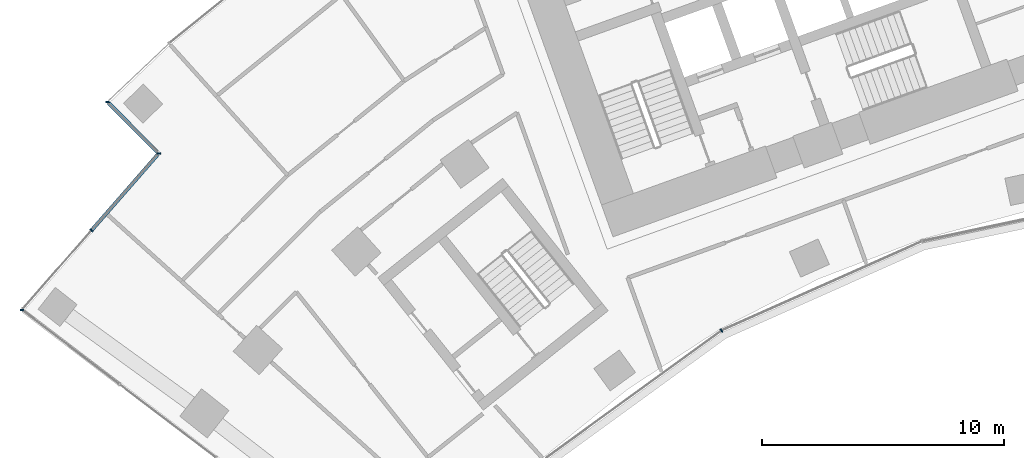
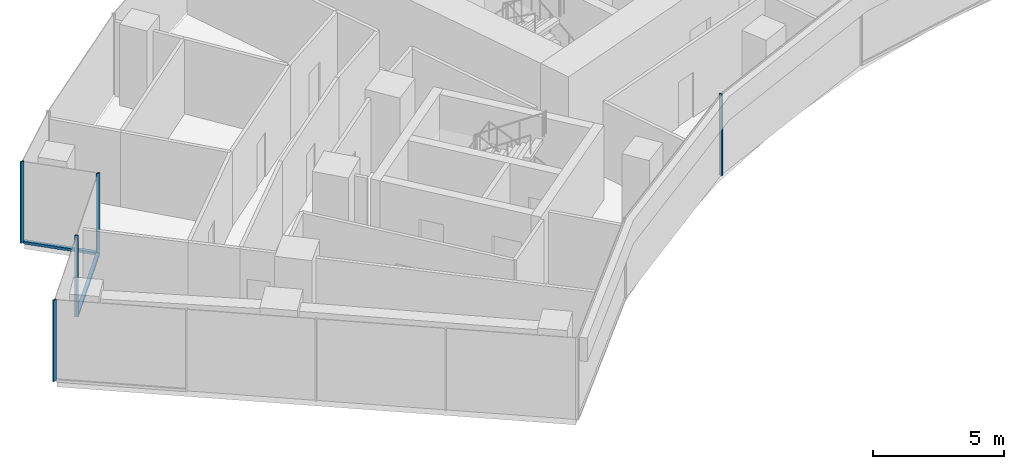
# One storey, part 3 of 21: 7 members, 4 elements without a shape of their own.
"""IFC4 building model written with IfcOpenShell, lengths in metres."""

from ifc_helpers import new_model, si_unit, direction, frame, origin, origin_2d, place, context, subcontext, project, spatial, rectangle, extrude, material, layer, layer_set, material_profile, profile_set, type_object, element, aggregate, save


model = new_model("IFC4")

# Units and contexts
model_context = context("Model", 3, precision=1e-05, world=origin(), true_north=direction((0.0, 1.0)))
body_context = subcontext(model_context, "Body", "Model", "MODEL_VIEW")
ifc_project = project(units=[si_unit("LENGTHUNIT", "METRE"), si_unit("AREAUNIT", "SQUARE_METRE"), si_unit("VOLUMEUNIT", "CUBIC_METRE"), si_unit("PLANEANGLEUNIT", "RADIAN"), si_unit("MASSUNIT", "GRAM", prefix="KILO")], contexts=[model_context])

# Site, building, storey
site_placement = place(None, origin())
site = spatial("IfcSite", under=ifc_project, at=site_placement, CompositionType="ELEMENT")
building_placement = place(site_placement, origin())
building = spatial("IfcBuilding", under=site, at=building_placement, Name="Stone Belt Terrace Tower", CompositionType="ELEMENT")
storey_placement = place(building_placement, frame((0.0, 0.0, 90.800048828125)))
storey = spatial("IfcBuildingStorey", under=building, at=storey_placement, Name="L21", CompositionType="ELEMENT", Elevation=90.800048828125)

# Curtain wall, member
ifc_material = material(Name="Aluminium 6063-T6 anodised frame", Category="aluminium")
ifc_layer_1 = layer(ifc_material, 0.14990234375)
ifc_layer_set_1 = layer_set([ifc_layer_1], Name="CW-B unitised concave-face curtain wall")
curtain_wall_type_1 = type_object("IfcCurtainWallType", Name="CW-B unitised concave-face curtain wall", PredefinedType="NOTDEFINED", material=ifc_layer_set_1)
curtain_wall_1_placement = place(storey_placement, origin())
curtain_wall_1 = element("IfcCurtainWall", 1, at=curtain_wall_1_placement, inside=storey, type_object=curtain_wall_type_1, Name="CW-B concave face L21", PredefinedType="NOTDEFINED")
ifc_material_profile_1 = material_profile(ifc_material, rectangle(XDim=0.14990234375, YDim=0.050048828125, at=origin_2d()), Name="Aluminium 6063-T6 50x150")
ifc_profile_set_1 = profile_set([ifc_material_profile_1], Name="Aluminium 6063-T6 anodised frame")
member_type_1 = type_object("IfcMemberType", Name="CW-B mullion 50 x 150", PredefinedType="MULLION", material=ifc_profile_set_1)
member_1_placement = place(storey_placement, frame((-21.71240234375, 37.606689453125, 0.0), z_axis=(0.0, 0.0, 1.0), x_axis=(-0.5, 0.866025403784, 0.0)))
member_1 = element("IfcMember", 2, at=member_1_placement, type_object=member_type_1, Name="CW-B mullion 3", PredefinedType="MULLION", context=body_context, shape_type="SweptSolid", body=[
    extrude(rectangle(XDim=0.14990234375, YDim=0.050048828125, at=origin_2d()), origin(), (0.0, 0.0, 1.0), 3.800048828125),
])
aggregate(curtain_wall_1, [member_1])

ifc_layer_2 = layer(ifc_material, 0.14990234375)
ifc_layer_set_2 = layer_set([ifc_layer_2], Name="CW-C stick curtain wall, horn ends and notches")
curtain_wall_type_2 = type_object("IfcCurtainWallType", Name="CW-C stick curtain wall, horn ends and notches", PredefinedType="NOTDEFINED", material=ifc_layer_set_2)
curtain_wall_2_placement = place(storey_placement, origin())
curtain_wall_2 = element("IfcCurtainWall", 3, at=curtain_wall_2_placement, inside=storey, type_object=curtain_wall_type_2, Name="CW-C notch face L21", PredefinedType="NOTDEFINED")
ifc_material_profile_2 = material_profile(ifc_material, rectangle(XDim=0.14990234375, YDim=0.06005859375, at=origin_2d()), Name="Aluminium 6063-T6 60x150")
ifc_profile_set_2 = profile_set([ifc_material_profile_2], Name="Aluminium 6063-T6 anodised frame")
member_type_2 = type_object("IfcMemberType", Name="CW-C mullion 60 x 150", PredefinedType="MULLION", material=ifc_profile_set_2)
member_2_placement = place(storey_placement, frame((-47.095458984375, 47.05859375, 0.0), z_axis=(0.0, 0.0, 1.0), x_axis=(0.999906944568, -0.013641928165, 0.0)))
member_2 = element("IfcMember", 4, at=member_2_placement, type_object=member_type_2, Name="CW-C mullion 1", PredefinedType="MULLION", context=body_context, shape_type="SweptSolid", body=[
    extrude(rectangle(XDim=0.14990234375, YDim=0.06005859375, at=origin_2d()), origin(), (0.0, 0.0, 1.0), 3.800048828125),
])

# Curtain wall, members
curtain_wall_3_placement = place(storey_placement, origin())
curtain_wall_3 = element("IfcCurtainWall", 5, at=curtain_wall_3_placement, inside=storey, type_object=curtain_wall_type_2, Name="CW-C notch face L21", PredefinedType="NOTDEFINED")
member_3_placement = place(storey_placement, frame((-44.970703125, 44.930908203125, 0.0), z_axis=(0.0, 0.0, 1.0), x_axis=(0.999452308644, 0.033092034477, 0.0)))
member_3 = element("IfcMember", 6, at=member_3_placement, type_object=member_type_2, Name="CW-C mullion 1", PredefinedType="MULLION", context=body_context, shape_type="SweptSolid", body=[
    extrude(rectangle(XDim=0.14990234375, YDim=0.06005859375, at=origin_2d()), origin(), (0.0, 0.0, 1.0), 3.800048828125),
])
member_4_placement = place(storey_placement, frame((-47.7509765625, 41.751220703125, 0.0), z_axis=(0.0, 0.0, 1.0), x_axis=(0.752816669569, -0.658230250003, 0.0)))
member_4 = element("IfcMember", 7, at=member_4_placement, type_object=member_type_2, Name="CW-C mullion 2", PredefinedType="MULLION", context=body_context, shape_type="SweptSolid", body=[
    extrude(rectangle(XDim=0.14990234375, YDim=0.06005859375, at=origin_2d()), origin(), (0.0, 0.0, 1.0), 3.800048828125),
])

# Curtain wall, member
curtain_wall_4_placement = place(storey_placement, origin())
curtain_wall_4 = element("IfcCurtainWall", 8, at=curtain_wall_4_placement, inside=storey, type_object=curtain_wall_type_2, Name="CW-C end face L21", PredefinedType="NOTDEFINED")
member_5_placement = place(storey_placement, frame((-50.6298828125, 38.45849609375, 0.0), z_axis=(0.0, 0.0, 1.0), x_axis=(0.994927275217, 0.10059680427, 0.0)))
member_5 = element("IfcMember", 9, at=member_5_placement, type_object=member_type_2, Name="CW-C mullion 1", PredefinedType="MULLION", context=body_context, shape_type="SweptSolid", body=[
    extrude(rectangle(XDim=0.14990234375, YDim=0.06005859375, at=origin_2d()), origin(), (0.0, 0.0, 1.0), 3.800048828125),
])
aggregate(curtain_wall_4, [member_5])

# Member
ifc_material_profile_3 = material_profile(ifc_material, rectangle(XDim=0.14990234375, YDim=0.1201171875, at=origin_2d()), Name="Aluminium 6063-T6 150x120")
ifc_profile_set_3 = profile_set([ifc_material_profile_3], Name="Aluminium 6063-T6 anodised frame")
member_type_3 = type_object("IfcMemberType", Name="CW-C transom 120 x 150", PredefinedType="USERDEFINED", material=ifc_profile_set_3)
member_6_placement = place(storey_placement, frame((-47.042724609375, 47.005859375, 0.06005859375), z_axis=(0.706594261373, -0.707618929788, 0.0), x_axis=(0.707618929788, 0.706594261373, 0.0)))
member_6 = element("IfcMember", 10, at=member_6_placement, type_object=member_type_3, Name="CW-C transom 1.1", ObjectType="TRANSOM", PredefinedType="USERDEFINED", context=body_context, shape_type="SweptSolid", body=[
    extrude(rectangle(XDim=0.14990234375, YDim=0.1201171875, at=origin_2d()), origin(), (0.0, 0.0, 1.0), 2.859130859375),
])

aggregate(curtain_wall_2, [member_2, member_6])

member_7_placement = place(storey_placement, frame((-45.01904296875, 44.8759765625, 0.06005859375), z_axis=(-0.658210928233, -0.752833563249, 0.0), x_axis=(0.752833563249, -0.658210928233, 0.0)))
member_7 = element("IfcMember", 11, at=member_7_placement, type_object=member_type_3, Name="CW-C transom 1.1", ObjectType="TRANSOM", PredefinedType="USERDEFINED", context=body_context, shape_type="SweptSolid", body=[
    extrude(rectangle(XDim=0.14990234375, YDim=0.1201171875, at=origin_2d()), origin(), (0.0, 0.0, 1.0), 4.12060546875),
])

aggregate(curtain_wall_3, [member_3, member_4, member_7])

save(model, "model.ifc")
